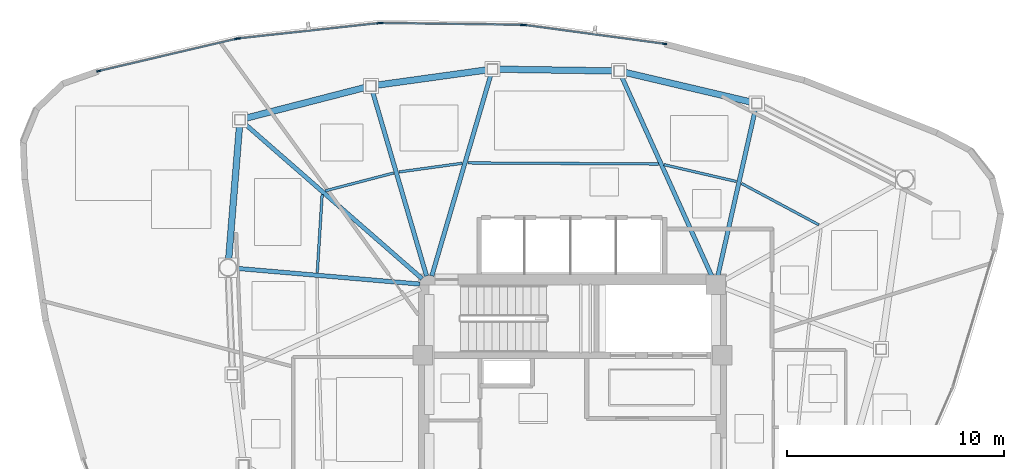
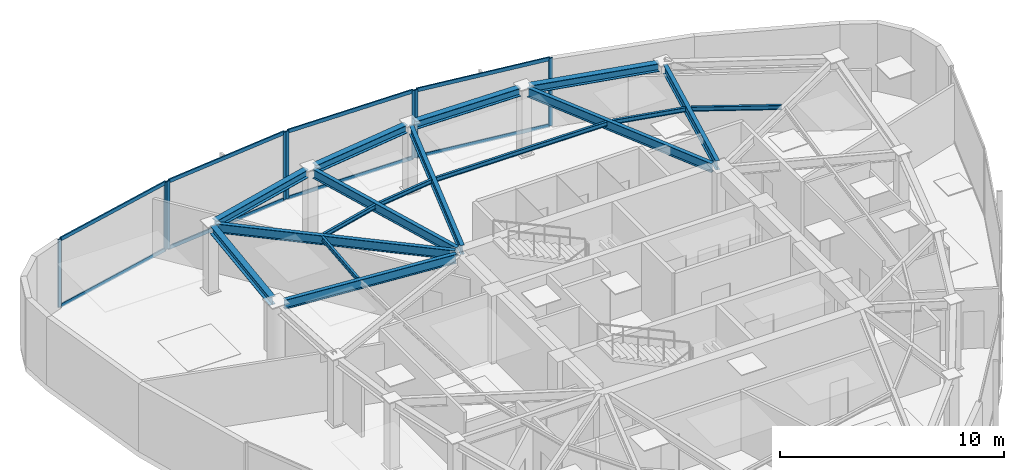
# One storey, part 5 of 12: 17 beams, 16 members, 4 elements without a shape of their own.
"""IFC4 building model written with IfcOpenShell, lengths in metres."""

from ifc_helpers import new_model, si_unit, direction, frame, origin, origin_2d, place, context, subcontext, project, spatial, hollow_rectangle, i_section, extrude, source, transform, mapped, material, layer, layer_set, material_profile, profile_set, type_object, type_shapes, element, aggregate, save


model = new_model("IFC4")

# Units and contexts
model_context = context("Model", 3, precision=1e-05, world=origin(), true_north=direction((0.0, 1.0)))
body_context = subcontext(model_context, "Body", "Model", "MODEL_VIEW")
ifc_project = project(units=[si_unit("LENGTHUNIT", "METRE"), si_unit("AREAUNIT", "SQUARE_METRE"), si_unit("VOLUMEUNIT", "CUBIC_METRE"), si_unit("PLANEANGLEUNIT", "RADIAN"), si_unit("MASSUNIT", "GRAM", prefix="KILO")], contexts=[model_context])

# Site, building, storey
site_placement = place(None, origin())
site = spatial("IfcSite", under=ifc_project, at=site_placement, CompositionType="ELEMENT")
building_placement = place(site_placement, origin())
building = spatial("IfcBuilding", under=site, at=building_placement, Name="Tavelor Broadcast Tower", CompositionType="ELEMENT")
storey_placement = place(building_placement, frame((0.0, 0.0, 277.5)))
storey = spatial("IfcBuildingStorey", under=building, at=storey_placement, Name="L66", CompositionType="ELEMENT", Elevation=277.5)

# Beams
ifc_material_1 = material(Name="Steel S355", Category="steel")
ifc_material_profile_1 = material_profile(ifc_material_1, i_section(OverallWidth=0.1201171875, OverallDepth=0.239990234375, WebThickness=0.006103515625, FlangeThickness=0.009765625, at=origin_2d()), Name="IPE 240")
ifc_profile_set_1 = profile_set([ifc_material_profile_1], Name="Steel S355")
beam_type_1 = type_object("IfcBeamType", Name="Composite Floor Joist T7 IPE 240", PredefinedType="JOIST", material=ifc_profile_set_1)
beam_1_placement = place(storey_placement, frame((61.344482421875, 53.96630859375, 3.580078125), z_axis=(-0.881609274303, 0.471979965108, 0.0), x_axis=(-0.471979965108, -0.881609274303, 0.0)))
element("IfcBeam", 1, at=beam_1_placement, inside=storey, type_object=beam_type_1, Name="L66 Secondary Composite Floor Joist 13", PredefinedType="JOIST", context=body_context, shape_type="SweptSolid", body=[
    extrude(i_section(OverallWidth=0.1201171875, OverallDepth=0.239990234375, WebThickness=0.006103515625, FlangeThickness=0.009765625, at=origin_2d()), origin(), (0.0, 0.0, 1.0), 4.041015625),
])
beam_2_placement = place(storey_placement, frame((57.54248046875, 55.96337890625, 3.580078125), z_axis=(-0.974044982297, 0.226354528257, 0.0), x_axis=(-0.226354528257, -0.974044982297, 0.0)))
element("IfcBeam", 2, at=beam_2_placement, inside=storey, type_object=beam_type_1, Name="L66 Secondary Composite Floor Joist 14", PredefinedType="JOIST", context=body_context, shape_type="SweptSolid", body=[
    extrude(i_section(OverallWidth=0.1201171875, OverallDepth=0.239990234375, WebThickness=0.006103515625, FlangeThickness=0.009765625, at=origin_2d()), origin(), (0.0, 0.0, 1.0), 3.42236328125),
])
beam_3_placement = place(storey_placement, frame((53.954345703125, 56.76806640625, 3.580078125), z_axis=(-0.999984057593, 0.005646641549, 0.0), x_axis=(-0.005646641549, -0.999984057593, 0.0)))
element("IfcBeam", 3, at=beam_3_placement, inside=storey, type_object=beam_type_1, Name="L66 Secondary Composite Floor Joist 15", PredefinedType="JOIST", context=body_context, shape_type="SweptSolid", body=[
    extrude(i_section(OverallWidth=0.1201171875, OverallDepth=0.239990234375, WebThickness=0.006103515625, FlangeThickness=0.009765625, at=origin_2d()), origin(), (0.0, 0.0, 1.0), 8.777099609375),
])
beam_4_placement = place(storey_placement, frame((44.920654296875, 56.80078125, 3.580078125), z_axis=(-0.990691592416, -0.136125562317, 0.0), x_axis=(0.136125562317, -0.990691592416, 0.0)))
element("IfcBeam", 4, at=beam_4_placement, inside=storey, type_object=beam_type_1, Name="L66 Secondary Composite Floor Joist 16", PredefinedType="JOIST", context=body_context, shape_type="SweptSolid", body=[
    extrude(i_section(OverallWidth=0.1201171875, OverallDepth=0.239990234375, WebThickness=0.006103515625, FlangeThickness=0.009765625, at=origin_2d()), origin(), (0.0, 0.0, 1.0), 2.937744140625),
])
beam_5_placement = place(storey_placement, frame((41.757568359375, 56.35107421875, 3.580078125), z_axis=(-0.967742888196, -0.251939878435, 0.0), x_axis=(0.251939878435, -0.967742888196, 0.0)))
element("IfcBeam", 5, at=beam_5_placement, inside=storey, type_object=beam_type_1, Name="L66 Secondary Composite Floor Joist 17", PredefinedType="JOIST", context=body_context, shape_type="SweptSolid", body=[
    extrude(i_section(OverallWidth=0.1201171875, OverallDepth=0.239990234375, WebThickness=0.006103515625, FlangeThickness=0.009765625, at=origin_2d()), origin(), (0.0, 0.0, 1.0), 3.2578125),
])
beam_6_placement = place(storey_placement, frame((38.471923828125, 55.368896484375, 3.580078125), z_axis=(-0.062188497897, -0.998064422134, 0.0), x_axis=(0.998064422134, -0.062188497897, 0.0)))
element("IfcBeam", 6, at=beam_6_placement, inside=storey, type_object=beam_type_1, Name="L66 Secondary Composite Floor Joist 18", PredefinedType="JOIST", context=body_context, shape_type="SweptSolid", body=[
    extrude(i_section(OverallWidth=0.1201171875, OverallDepth=0.239990234375, WebThickness=0.006103515625, FlangeThickness=0.009765625, at=origin_2d()), origin(), (0.0, 0.0, 1.0), 3.60400390625),
])
ifc_material_profile_2 = material_profile(ifc_material_1, i_section(OverallWidth=0.300048828125, OverallDepth=0.43994140625, WebThickness=0.011474609375, FlangeThickness=0.02099609375, at=origin_2d()), Name="HEA 450")
ifc_profile_set_2 = profile_set([ifc_material_profile_2], Name="Steel S355")
beam_type_2 = type_object("IfcBeamType", Name="Perimeter Spandrel Beam T7 HEA 450", PredefinedType="SPANDREL", material=ifc_profile_set_2)
beam_7_placement = place(storey_placement, frame((58.251953125, 59.6123046875, 3.47998046875), z_axis=(-0.973341210947, 0.229361912863, 0.0), x_axis=(-0.229361912863, -0.973341210947, 0.0)))
element("IfcBeam", 7, at=beam_7_placement, inside=storey, type_object=beam_type_2, Name="L66 Framed-Tube Ring Spandrel 14", PredefinedType="SPANDREL", context=body_context, shape_type="SweptSolid", body=[
    extrude(i_section(OverallWidth=0.300048828125, OverallDepth=0.43994140625, WebThickness=0.011474609375, FlangeThickness=0.02099609375, at=origin_2d()), origin(), (0.0, 0.0, 1.0), 6.0322265625),
])
beam_8_placement = place(storey_placement, frame((51.906982421875, 61.054443359375, 3.47998046875), z_axis=(-0.999890103457, 0.014825012939, 0.0), x_axis=(-0.014825012939, -0.999890103457, 0.0)))
element("IfcBeam", 8, at=beam_8_placement, inside=storey, type_object=beam_type_2, Name="L66 Framed-Tube Ring Spandrel 15", PredefinedType="SPANDREL", context=body_context, shape_type="SweptSolid", body=[
    extrude(i_section(OverallWidth=0.300048828125, OverallDepth=0.43994140625, WebThickness=0.011474609375, FlangeThickness=0.02099609375, at=origin_2d()), origin(), (0.0, 0.0, 1.0), 5.35205078125),
])
beam_9_placement = place(storey_placement, frame((46.077880859375, 61.104248046875, 3.47998046875), z_axis=(-0.99051816585, -0.137381815101, 0.0), x_axis=(0.137381815101, -0.99051816585, 0.0)))
element("IfcBeam", 9, at=beam_9_placement, inside=storey, type_object=beam_type_2, Name="L66 Framed-Tube Ring Spandrel 16", PredefinedType="SPANDREL", context=body_context, shape_type="SweptSolid", body=[
    extrude(i_section(OverallWidth=0.300048828125, OverallDepth=0.43994140625, WebThickness=0.011474609375, FlangeThickness=0.02099609375, at=origin_2d()), origin(), (0.0, 0.0, 1.0), 5.17138671875),
])
beam_10_placement = place(storey_placement, frame((40.485595703125, 60.301025390625, 3.47998046875), z_axis=(-0.968436978706, -0.249258537014, 0.0), x_axis=(0.249258537014, -0.968436978706, 0.0)))
element("IfcBeam", 10, at=beam_10_placement, inside=storey, type_object=beam_type_2, Name="L66 Framed-Tube Ring Spandrel 17", PredefinedType="SPANDREL", context=body_context, shape_type="SweptSolid", body=[
    extrude(i_section(OverallWidth=0.300048828125, OverallDepth=0.43994140625, WebThickness=0.011474609375, FlangeThickness=0.02099609375, at=origin_2d()), origin(), (0.0, 0.0, 1.0), 5.74560546875),
])
beam_11_placement = place(storey_placement, frame((34.669677734375, 58.56982421875, 3.47998046875), z_axis=(-0.081085240328, -0.996707170538, 0.0), x_axis=(0.996707170538, -0.081085240328, 0.0)))
element("IfcBeam", 11, at=beam_11_placement, inside=storey, type_object=beam_type_2, Name="L66 Framed-Tube Ring Spandrel 18", PredefinedType="SPANDREL", context=body_context, shape_type="SweptSolid", body=[
    extrude(i_section(OverallWidth=0.300048828125, OverallDepth=0.43994140625, WebThickness=0.011474609375, FlangeThickness=0.02099609375, at=origin_2d()), origin(), (0.0, 0.0, 1.0), 6.20556640625),
])
ifc_material_profile_3 = material_profile(ifc_material_1, i_section(OverallWidth=0.199951171875, OverallDepth=0.5, WebThickness=0.01025390625, FlangeThickness=0.01611328125, at=origin_2d()), Name="IPE 500")
ifc_profile_set_3 = profile_set([ifc_material_profile_3], Name="Steel S355")
beam_type_3 = type_object("IfcBeamType", Name="Radial Floor Girder T7 IPE 500", PredefinedType="BEAM", material=ifc_profile_set_3)
beam_12_placement = place(storey_placement, frame((42.969482421875, 51.237060546875, 3.449951171875), z_axis=(-0.996332421592, 0.085566966079, 0.0), x_axis=(-0.085566966079, -0.996332421592, 0.0)))
element("IfcBeam", 12, at=beam_12_placement, inside=storey, type_object=beam_type_3, Name="L66 Radial Primary Floor Girder 01", PredefinedType="BEAM", context=body_context, shape_type="SweptSolid", body=[
    extrude(i_section(OverallWidth=0.199951171875, OverallDepth=0.5, WebThickness=0.01025390625, FlangeThickness=0.01611328125, at=origin_2d()), origin(), (0.0, 0.0, 1.0), 8.476806640625),
])
beam_13_placement = place(storey_placement, frame((56.695068359375, 51.621337890625, 3.449951171875), z_axis=(0.22010521598, 0.975476137021, 0.0), x_axis=(-0.975476137021, 0.22010521598, 0.0)))
element("IfcBeam", 13, at=beam_13_placement, inside=storey, type_object=beam_type_3, Name="L66 Radial Primary Floor Girder 14", PredefinedType="BEAM", context=body_context, shape_type="SweptSolid", body=[
    extrude(i_section(OverallWidth=0.199951171875, OverallDepth=0.5, WebThickness=0.01025390625, FlangeThickness=0.01611328125, at=origin_2d()), origin(), (0.0, 0.0, 1.0), 7.895263671875),
])
beam_14_placement = place(storey_placement, frame((56.422119140625, 51.59375, 3.449951171875), z_axis=(-0.411897039455, 0.911230392869, 0.0), x_axis=(-0.911230392869, -0.411897039455, 0.0)))
element("IfcBeam", 14, at=beam_14_placement, inside=storey, type_object=beam_type_3, Name="L66 Radial Primary Floor Girder 15", PredefinedType="BEAM", context=body_context, shape_type="SweptSolid", body=[
    extrude(i_section(OverallWidth=0.199951171875, OverallDepth=0.5, WebThickness=0.01025390625, FlangeThickness=0.01611328125, at=origin_2d()), origin(), (0.0, 0.0, 1.0), 10.138427734375),
])
beam_15_placement = place(storey_placement, frame((43.521484375, 51.614501953125, 3.449951171875), z_axis=(0.281523398042, 0.959554363418, 0.0), x_axis=(-0.959554363418, 0.281523398042, 0.0)))
element("IfcBeam", 15, at=beam_15_placement, inside=storey, type_object=beam_type_3, Name="L66 Radial Primary Floor Girder 16", PredefinedType="BEAM", context=body_context, shape_type="SweptSolid", body=[
    extrude(i_section(OverallWidth=0.199951171875, OverallDepth=0.5, WebThickness=0.01025390625, FlangeThickness=0.01611328125, at=origin_2d()), origin(), (0.0, 0.0, 1.0), 9.68408203125),
])
beam_16_placement = place(storey_placement, frame((43.278564453125, 51.614501953125, 3.449951171875), z_axis=(-0.280965508075, 0.959717866496, 0.0), x_axis=(-0.959717866496, -0.280965508075, 0.0)))
element("IfcBeam", 16, at=beam_16_placement, inside=storey, type_object=beam_type_3, Name="L66 Radial Primary Floor Girder 17", PredefinedType="BEAM", context=body_context, shape_type="SweptSolid", body=[
    extrude(i_section(OverallWidth=0.199951171875, OverallDepth=0.5, WebThickness=0.01025390625, FlangeThickness=0.01611328125, at=origin_2d()), origin(), (0.0, 0.0, 1.0), 8.87353515625),
])
beam_17_placement = place(storey_placement, frame((43.07470703125, 51.484130859375, 3.449951171875), z_axis=(-0.753133106232, 0.657868166351, 0.0), x_axis=(-0.657868166351, -0.753133106232, 0.0)))
element("IfcBeam", 17, at=beam_17_placement, inside=storey, type_object=beam_type_3, Name="L66 Radial Primary Floor Girder 18", PredefinedType="BEAM", context=body_context, shape_type="SweptSolid", body=[
    extrude(i_section(OverallWidth=0.199951171875, OverallDepth=0.5, WebThickness=0.01025390625, FlangeThickness=0.01611328125, at=origin_2d()), origin(), (0.0, 0.0, 1.0), 10.894287109375),
])

# Curtain wall, members
ifc_material_2 = material(Name="Architectural Anodized Aluminium", Category="aluminium")
ifc_layer = layer(ifc_material_2, 0.199951171875)
ifc_layer_set = layer_set([ifc_layer], Name="Architectural Anodized Aluminium")
curtain_wall_type = type_object("IfcCurtainWallType", Name="Tower High-Zone Triple-Glazed Curtain Wall CW04", PredefinedType="NOTDEFINED", material=ifc_layer_set)
curtain_wall_1_placement = place(storey_placement, origin())
curtain_wall_1 = element("IfcCurtainWall", 18, at=curtain_wall_1_placement, inside=storey, type_object=curtain_wall_type, Name="L66 Curtain Wall CW04 Run 729", PredefinedType="NOTDEFINED")
ifc_material_profile_4 = material_profile(ifc_material_2, hollow_rectangle(XDim=0.070068359375, YDim=0.199951171875, WallThickness=0.02197265625, at=origin_2d()), Name="RHS 70x200x22")
ifc_profile_set_4 = profile_set([ifc_material_profile_4], Name="Architectural Anodized Aluminium")
member_type_1 = type_object("IfcMemberType", Name="CW04 Extruded Aluminium Mullion 70x200", PredefinedType="MULLION", material=ifc_profile_set_4)
shared_shape_1 = source(origin(), body_context, "Body", "SweptSolid", [
    extrude(hollow_rectangle(XDim=0.070068359375, YDim=0.199951171875, WallThickness=0.02197265625, at=origin_2d()), origin(), (0.0, 0.0, 1.0), 3.699951171875),
])
type_shapes(member_type_1, [shared_shape_1])
member_1_placement = place(storey_placement, frame((54.239990234375, 62.29931640625, 0.0), z_axis=(0.0, 0.0, 1.0), x_axis=(-0.133551437177, -0.991041882883, 0.0)))
member_1 = element("IfcMember", 19, at=member_1_placement, type_object=member_type_1, Name="CW04 mullion 1", PredefinedType="MULLION", context=body_context, shape_type="MappedRepresentation", body=[
    mapped(shared_shape_1, transform((0.0, 0.0, 0.0), scale=1.0)),
])
member_2_placement = place(storey_placement, frame((47.7841796875, 63.16943359375, 0.0), z_axis=(0.0, 0.0, 1.0), x_axis=(-0.133551437177, -0.991041882883, 0.0)))
member_2 = element("IfcMember", 20, at=member_2_placement, type_object=member_type_1, Name="CW04 mullion 2", PredefinedType="MULLION", context=body_context, shape_type="MappedRepresentation", body=[
    mapped(shared_shape_1, transform((0.0, 0.0, 0.0), scale=1.0)),
])

curtain_wall_2_placement = place(storey_placement, origin())
curtain_wall_2 = element("IfcCurtainWall", 21, at=curtain_wall_2_placement, inside=storey, type_object=curtain_wall_type, Name="L66 Curtain Wall CW04 Run 730", PredefinedType="NOTDEFINED")
member_3_placement = place(storey_placement, frame((47.684814453125, 63.1767578125, 0.0), z_axis=(0.0, 0.0, 1.0), x_axis=(-0.012650663055, -0.99991997716, 0.0)))
member_3 = element("IfcMember", 22, at=member_3_placement, type_object=member_type_1, Name="CW04 mullion 1", PredefinedType="MULLION", context=body_context, shape_type="MappedRepresentation", body=[
    mapped(shared_shape_1, transform((0.0, 0.0, 0.0), scale=1.0)),
])
member_4_placement = place(storey_placement, frame((41.186279296875, 63.2587890625, 0.0), z_axis=(0.0, 0.0, 1.0), x_axis=(-0.012650663055, -0.99991997716, 0.0)))
member_4 = element("IfcMember", 23, at=member_4_placement, type_object=member_type_1, Name="CW04 mullion 2", PredefinedType="MULLION", context=body_context, shape_type="MappedRepresentation", body=[
    mapped(shared_shape_1, transform((0.0, 0.0, 0.0), scale=1.0)),
])

curtain_wall_3_placement = place(storey_placement, origin())
curtain_wall_3 = element("IfcCurtainWall", 24, at=curtain_wall_3_placement, inside=storey, type_object=curtain_wall_type, Name="L66 Curtain Wall CW04 Run 731", PredefinedType="NOTDEFINED")
member_5_placement = place(storey_placement, frame((41.086669921875, 63.254150390625, 0.0), z_axis=(0.0, 0.0, 1.0), x_axis=(0.108434654274, -0.994103578986, 0.0)))
member_5 = element("IfcMember", 25, at=member_5_placement, type_object=member_type_1, Name="CW04 mullion 1", PredefinedType="MULLION", context=body_context, shape_type="MappedRepresentation", body=[
    mapped(shared_shape_1, transform((0.0, 0.0, 0.0), scale=1.0)),
])
member_6_placement = place(storey_placement, frame((34.6259765625, 62.54931640625, 0.0), z_axis=(0.0, 0.0, 1.0), x_axis=(0.108434654274, -0.994103578986, 0.0)))
member_6 = element("IfcMember", 26, at=member_6_placement, type_object=member_type_1, Name="CW04 mullion 2", PredefinedType="MULLION", context=body_context, shape_type="MappedRepresentation", body=[
    mapped(shared_shape_1, transform((0.0, 0.0, 0.0), scale=1.0)),
])

curtain_wall_4_placement = place(storey_placement, origin())
curtain_wall_4 = element("IfcCurtainWall", 27, at=curtain_wall_4_placement, inside=storey, type_object=curtain_wall_type, Name="L66 Curtain Wall CW04 Run 732", PredefinedType="NOTDEFINED")
member_7_placement = place(storey_placement, frame((34.52783203125, 62.532470703125, 0.0), z_axis=(0.0, 0.0, 1.0), x_axis=(0.227950636041, -0.973672690142, 0.0)))
member_7 = element("IfcMember", 28, at=member_7_placement, type_object=member_type_1, Name="CW04 mullion 1", PredefinedType="MULLION", context=body_context, shape_type="MappedRepresentation", body=[
    mapped(shared_shape_1, transform((0.0, 0.0, 0.0), scale=1.0)),
])
member_8_placement = place(storey_placement, frame((28.1845703125, 61.04736328125, 0.0), z_axis=(0.0, 0.0, 1.0), x_axis=(0.227950636041, -0.973672690142, 0.0)))
member_8 = element("IfcMember", 29, at=member_8_placement, type_object=member_type_1, Name="CW04 mullion 2", PredefinedType="MULLION", context=body_context, shape_type="MappedRepresentation", body=[
    mapped(shared_shape_1, transform((0.0, 0.0, 0.0), scale=1.0)),
])

# Member
ifc_material_profile_5 = material_profile(ifc_material_2, hollow_rectangle(XDim=0.070068359375, YDim=0.199951171875, WallThickness=0.02197265625, at=origin_2d()), Name="RHS 70x200x22")
ifc_profile_set_5 = profile_set([ifc_material_profile_5], Name="Architectural Anodized Aluminium")
member_type_2 = type_object("IfcMemberType", Name="CW04 Extruded Aluminium Transom 70x200", PredefinedType="USERDEFINED", material=ifc_profile_set_5)
shared_shape_2 = source(origin(), body_context, "Body", "SweptSolid", [
    extrude(hollow_rectangle(XDim=0.070068359375, YDim=0.199951171875, WallThickness=0.02197265625, at=origin_2d()), origin(), (0.0, 0.0, 1.0), 6.428955078125),
])
member_9_placement = place(storey_placement, frame((41.052001953125, 63.250244140625, 0.034912109375), z_axis=(-0.994105376929, -0.108418169881, 0.0), x_axis=(0.108418169881, -0.994105376929, 0.0)))
member_9 = element("IfcMember", 30, at=member_9_placement, type_object=member_type_2, Name="CW04 transom 1.1", ObjectType="TRANSOM", PredefinedType="USERDEFINED", context=body_context, shape_type="MappedRepresentation", body=[
    mapped(shared_shape_2, transform((0.0, 0.0, 0.0), scale=1.0)),
])

member_10_placement = place(storey_placement, frame((41.052001953125, 63.250244140625, 3.6650390625), z_axis=(-0.994105376929, -0.108418169881, 0.0), x_axis=(0.108418169881, -0.994105376929, 0.0)))
member_10 = element("IfcMember", 31, at=member_10_placement, type_object=member_type_2, Name="CW04 transom 1.2", ObjectType="TRANSOM", PredefinedType="USERDEFINED", context=body_context, shape_type="MappedRepresentation", body=[
    mapped(shared_shape_2, transform((0.0, 0.0, 0.0), scale=1.0)),
])

aggregate(curtain_wall_3, [member_5, member_6, member_9, member_10])

shared_shape_3 = source(origin(), body_context, "Body", "SweptSolid", [
    extrude(hollow_rectangle(XDim=0.070068359375, YDim=0.199951171875, WallThickness=0.02197265625, at=origin_2d()), origin(), (0.0, 0.0, 1.0), 6.4287109375),
])
member_11_placement = place(storey_placement, frame((47.649658203125, 63.177001953125, 0.034912109375), z_axis=(-0.999920034132, 0.012646159186, 0.0), x_axis=(-0.012646159186, -0.999920034132, 0.0)))
member_11 = element("IfcMember", 32, at=member_11_placement, type_object=member_type_2, Name="CW04 transom 1.1", ObjectType="TRANSOM", PredefinedType="USERDEFINED", context=body_context, shape_type="MappedRepresentation", body=[
    mapped(shared_shape_3, transform((0.0, 0.0, 0.0), scale=1.0)),
])

member_12_placement = place(storey_placement, frame((47.649658203125, 63.177001953125, 3.6650390625), z_axis=(-0.999920034132, 0.012646159186, 0.0), x_axis=(-0.012646159186, -0.999920034132, 0.0)))
member_12 = element("IfcMember", 33, at=member_12_placement, type_object=member_type_2, Name="CW04 transom 1.2", ObjectType="TRANSOM", PredefinedType="USERDEFINED", context=body_context, shape_type="MappedRepresentation", body=[
    mapped(shared_shape_3, transform((0.0, 0.0, 0.0), scale=1.0)),
])

aggregate(curtain_wall_2, [member_3, member_4, member_11, member_12])

shared_shape_4 = source(origin(), body_context, "Body", "SweptSolid", [
    extrude(hollow_rectangle(XDim=0.070068359375, YDim=0.199951171875, WallThickness=0.02197265625, at=origin_2d()), origin(), (0.0, 0.0, 1.0), 6.44482421875),
])
member_13_placement = place(storey_placement, frame((34.49365234375, 62.524658203125, 0.034912109375), z_axis=(-0.973667966086, -0.22797081352, 0.0), x_axis=(0.22797081352, -0.973667966086, 0.0)))
member_13 = element("IfcMember", 34, at=member_13_placement, type_object=member_type_2, Name="CW04 transom 1.1", ObjectType="TRANSOM", PredefinedType="USERDEFINED", context=body_context, shape_type="MappedRepresentation", body=[
    mapped(shared_shape_4, transform((0.0, 0.0, 0.0), scale=1.0)),
])

member_14_placement = place(storey_placement, frame((34.49365234375, 62.524658203125, 3.6650390625), z_axis=(-0.973667966086, -0.22797081352, 0.0), x_axis=(0.22797081352, -0.973667966086, 0.0)))
member_14 = element("IfcMember", 35, at=member_14_placement, type_object=member_type_2, Name="CW04 transom 1.2", ObjectType="TRANSOM", PredefinedType="USERDEFINED", context=body_context, shape_type="MappedRepresentation", body=[
    mapped(shared_shape_4, transform((0.0, 0.0, 0.0), scale=1.0)),
])

aggregate(curtain_wall_4, [member_7, member_8, member_13, member_14])

shared_shape_5 = source(origin(), body_context, "Body", "SweptSolid", [
    extrude(hollow_rectangle(XDim=0.070068359375, YDim=0.199951171875, WallThickness=0.02197265625, at=origin_2d()), origin(), (0.0, 0.0, 1.0), 6.44384765625),
])
type_shapes(member_type_2, [shared_shape_2, shared_shape_3, shared_shape_4, shared_shape_5])
member_15_placement = place(storey_placement, frame((54.205322265625, 62.303955078125, 0.034912109375), z_axis=(-0.991041963114, 0.133550841807, 0.0), x_axis=(-0.133550841807, -0.991041963114, 0.0)))
member_15 = element("IfcMember", 36, at=member_15_placement, type_object=member_type_2, Name="CW04 transom 1.1", ObjectType="TRANSOM", PredefinedType="USERDEFINED", context=body_context, shape_type="MappedRepresentation", body=[
    mapped(shared_shape_5, transform((0.0, 0.0, 0.0), scale=1.0)),
])

member_16_placement = place(storey_placement, frame((54.205322265625, 62.303955078125, 3.6650390625), z_axis=(-0.991041963114, 0.133550841807, 0.0), x_axis=(-0.133550841807, -0.991041963114, 0.0)))
member_16 = element("IfcMember", 37, at=member_16_placement, type_object=member_type_2, Name="CW04 transom 1.2", ObjectType="TRANSOM", PredefinedType="USERDEFINED", context=body_context, shape_type="MappedRepresentation", body=[
    mapped(shared_shape_5, transform((0.0, 0.0, 0.0), scale=1.0)),
])

aggregate(curtain_wall_1, [member_1, member_2, member_15, member_16])

save(model, "model.ifc")
